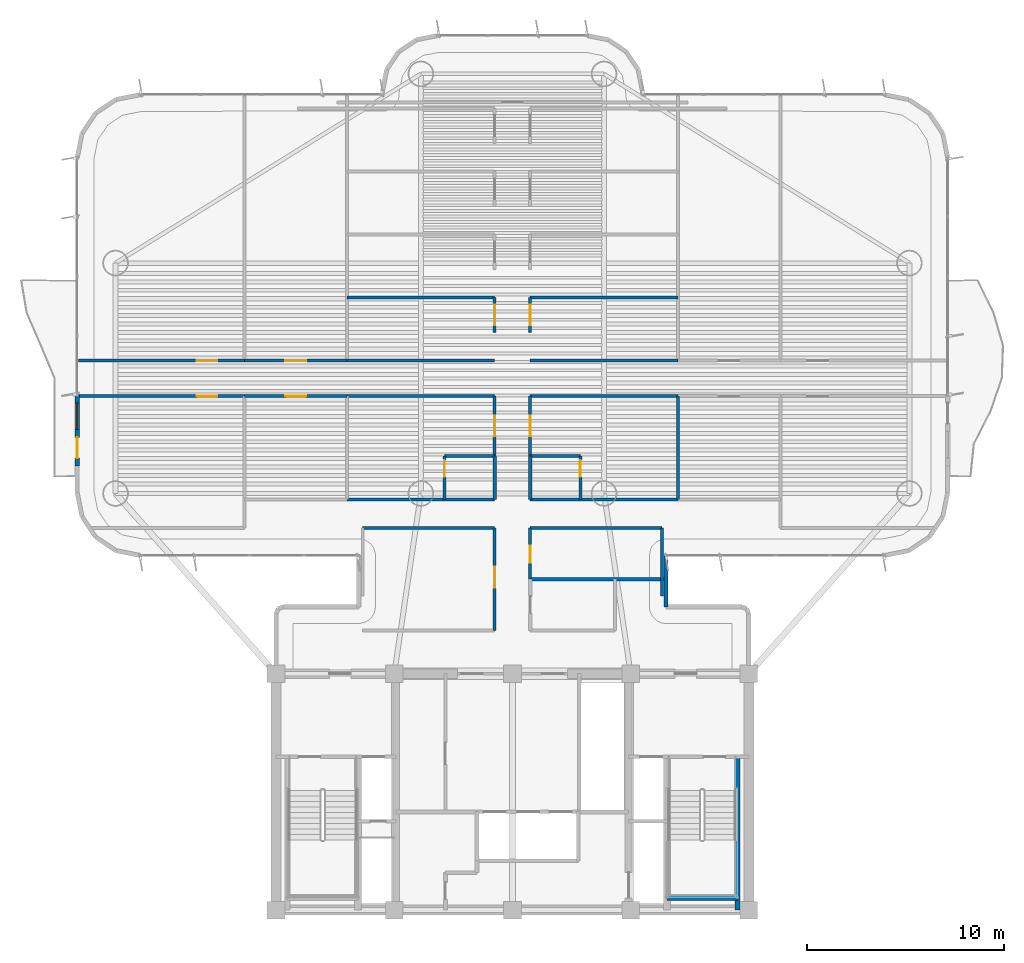
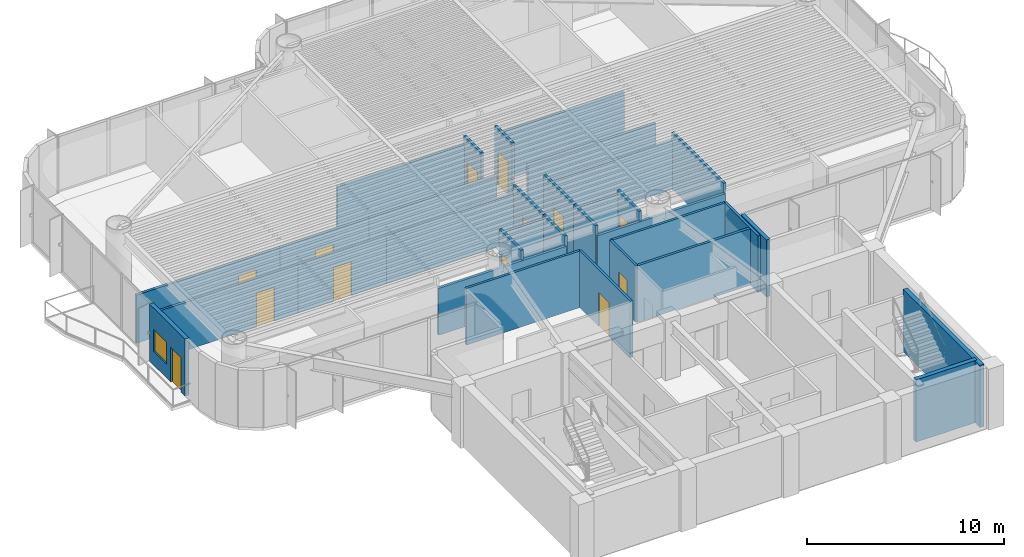
# One storey, part 10 of 16: 33 walls, 13 doors, 1 window, 14 openings.
"""IFC4 building model written with IfcOpenShell, lengths in metres."""

from ifc_helpers import new_model, si_unit, direction, frame, frame_2d, origin, origin_2d, place, context, subcontext, project, spatial, rectangle, extrude, source, transform, mapped, material, layer, layer_set, type_object, element, fill, save


model = new_model("IFC4")

# Units and contexts
model_context = context("Model", 3, precision=1e-05, world=origin(), true_north=direction((0.0, 1.0)))
body_context = subcontext(model_context, "Body", "Model", "MODEL_VIEW")
ifc_project = project(units=[si_unit("LENGTHUNIT", "METRE"), si_unit("AREAUNIT", "SQUARE_METRE"), si_unit("VOLUMEUNIT", "CUBIC_METRE"), si_unit("PLANEANGLEUNIT", "RADIAN"), si_unit("MASSUNIT", "GRAM", prefix="KILO")], contexts=[model_context])

# Site, building, storey
site_placement = place(None, origin())
site = spatial("IfcSite", under=ifc_project, at=site_placement, CompositionType="ELEMENT")
building_placement = place(site_placement, origin())
building = spatial("IfcBuilding", under=site, at=building_placement, Name="Brelvock Crest Care Tower", CompositionType="ELEMENT")
storey_placement = place(building_placement, frame((0.0, 0.0, 101.159912109375)))
storey = spatial("IfcBuildingStorey", under=building, at=storey_placement, Name="L25", CompositionType="ELEMENT", Elevation=101.159912109375)

# Walls
ifc_material_1 = material(Name="Concrete S80 (80 MPa)", Category="concrete")
ifc_layer_1 = layer(ifc_material_1, 0.25, Name="WL-CS6")
ifc_layer_set_1 = layer_set([ifc_layer_1], Name="Concrete S80 (80 MPa)")
wall_type_1 = type_object("IfcWallType", Name="WL-CS6", PredefinedType="SHEAR", material=ifc_layer_set_1)
wall_1_placement = place(storey_placement, frame((47.419921875, 6.0, 0.0), z_axis=(0.0, 0.0, 1.0), x_axis=(0.0, 1.0, 0.0)))
element("IfcWall", 1, at=wall_1_placement, inside=storey, type_object=wall_type_1, Name="L25 Core Stair ST-2 East Shear Wall", PredefinedType="SHEAR", context=body_context, shape_type="SweptSolid", body=[
    extrude(rectangle(XDim=7.780029296875, YDim=0.25, at=frame_2d((3.89013671875, 0.0))), origin(), (0.0, 0.0, 1.0), 3.85009765625),
])
wall_2_placement = place(storey_placement, frame((43.85009765625, 6.6201171875, 0.0), z_axis=(0.0, 0.0, 1.0), x_axis=(1.0, 0.0, 0.0)))
element("IfcWall", 2, at=wall_2_placement, inside=storey, type_object=wall_type_1, Name="L25 Core Stair ST-2 South Shear Wall", PredefinedType="SHEAR", context=body_context, shape_type="SweptSolid", body=[
    extrude(rectangle(XDim=3.56982421875, YDim=0.25, at=frame_2d((1.784912109375, 0.0))), origin(), (0.0, 0.0, 1.0), 3.85009765625),
])

# Wall, openings, door, window
ifc_material_2 = material(Name="Precast concrete N40 (40 MPa)", Category="concrete")
ifc_layer_2 = layer(ifc_material_2, 0.239990234375, Name="WL-EX1")
ifc_layer_set_2 = layer_set([ifc_layer_2], Name="Precast concrete N40 (40 MPa)")
wall_type_2 = type_object("IfcWallType", Name="WL-EX1", PredefinedType="SOLIDWALL", material=ifc_layer_set_2)
wall_3_placement = place(storey_placement, frame((13.89990234375, 28.550048828125, 0.0), z_axis=(0.0, 0.0, 1.0), x_axis=(0.0, 1.0, 0.0)))
wall_3 = element("IfcWall", 3, at=wall_3_placement, inside=storey, type_object=wall_type_2, Name="L25 Exterior Spandrel Wall WL-BAL-L25-W", PredefinedType="SOLIDWALL", context=body_context, shape_type="SweptSolid", body=[
    extrude(rectangle(XDim=3.599853515625, YDim=0.239990234375, at=frame_2d((1.7998046875, 0.0))), origin(), (0.0, 0.0, 1.0), 3.530029296875),
])
opening_1_placement = place(wall_3_placement, frame((0.39990234375, 0.0, 0.0)))
opening_1 = element("IfcOpeningElement", 4, at=opening_1_placement, cuts=wall_3, Name="Opening BD-1", PredefinedType="OPENING", context=body_context, shape_type="SweptSolid", body=[
    extrude(rectangle(XDim=1.050048828125, YDim=2.14990234375, at=origin_2d()), frame((0.52490234375, 0.1298828125, 1.074951171875), z_axis=(0.0, -1.0, 0.0), x_axis=(1.0, 0.0, 0.0)), (0.0, 0.0, 1.0), 0.260009765625),
])
opening_2_placement = place(wall_3_placement, frame((1.85009765625, 0.0, 0.85009765625)))
opening_2 = element("IfcOpeningElement", 5, at=opening_2_placement, cuts=wall_3, Name="Opening W-01", PredefinedType="OPENING", context=body_context, shape_type="SweptSolid", body=[
    extrude(rectangle(XDim=1.35009765625, YDim=1.35009765625, at=origin_2d()), frame((0.675048828125, 0.1298828125, 0.675048828125), z_axis=(0.0, -1.0, 0.0), x_axis=(1.0, 0.0, 0.0)), (0.0, 0.0, 1.0), 0.260009765625),
])
ifc_material_3 = material(Name="Dark Glass Double Glazed Low-E", Category="glass")
door_type_1 = type_object("IfcDoorType", Name="DR-BAL1", OperationType="NOTDEFINED", PredefinedType="DOOR", material=ifc_material_3)
shared_shape_1 = source(origin(), body_context, "Body", "SweptSolid", [
    extrude(rectangle(XDim=1.050048828125, YDim=2.14990234375, at=origin_2d()), frame((0.52490234375, 0.02490234375, 1.074951171875), z_axis=(0.0, -1.0, 0.0), x_axis=(1.0, 0.0, 0.0)), (0.0, 0.0, 1.0), 0.050048828125),
])
door_1_placement = place(opening_1_placement, origin())
door_1 = element("IfcDoor", 6, at=door_1_placement, inside=storey, type_object=door_type_1, Name="L25 W Wave Balcony Glazed Door", OperationType="SINGLE_SWING_LEFT", OverallHeight=2.14990234375, OverallWidth=1.050048828125, PredefinedType="DOOR", context=body_context, shape_type="MappedRepresentation", body=[
    mapped(shared_shape_1, transform((0.0, 0.0, 0.0), x_axis=(1.0, 0.0, 0.0), y_axis=(0.0, 1.0, 0.0), z_axis=(0.0, 0.0, 1.0), scale=1.0)),
])
fill(opening_1, door_1)
window_type = type_object("IfcWindowType", Name="WN-EX1", PartitioningType="SINGLE_PANEL", PredefinedType="WINDOW", material=ifc_material_3)
shared_shape_2 = source(origin(), body_context, "Body", "SweptSolid", [
    extrude(rectangle(XDim=1.35009765625, YDim=1.35009765625, at=origin_2d()), frame((0.675048828125, 0.030029296875, 0.675048828125), z_axis=(0.0, -1.0, 0.0), x_axis=(1.0, 0.0, 0.0)), (0.0, 0.0, 1.0), 0.06005859375),
])
window_placement = place(opening_2_placement, origin())
window = element("IfcWindow", 7, at=window_placement, inside=storey, type_object=window_type, Name="L25 W Suite Casement Window", OverallHeight=1.35009765625, OverallWidth=1.35009765625, PartitioningType="SINGLE_PANEL", PredefinedType="WINDOW", context=body_context, shape_type="MappedRepresentation", body=[
    mapped(shared_shape_2, transform((0.0, 0.0, 0.0), x_axis=(1.0, 0.0, 0.0), y_axis=(0.0, 1.0, 0.0), z_axis=(0.0, 0.0, 1.0), scale=1.0)),
])
fill(opening_2, window)

# Walls
ifc_layer_3 = layer(ifc_material_2, 0.215087890625, Name="WL-EX2")
ifc_layer_set_3 = layer_set([ifc_layer_3], Name="Precast concrete N40 (40 MPa)")
wall_type_3 = type_object("IfcWallType", Name="WL-EX2", PredefinedType="SOLIDWALL", material=ifc_layer_set_3)
wall_4_placement = place(storey_placement, frame((43.800048828125, 24.0, 0.0), z_axis=(0.0, 0.0, 1.0), x_axis=(0.0, -1.0, 0.0)))
element("IfcWall", 8, at=wall_4_placement, inside=storey, type_object=wall_type_3, Name="L25 Rounded Corner Wall 45", PredefinedType="SOLIDWALL", context=body_context, shape_type="SweptSolid", body=[
    extrude(rectangle(XDim=2.60009765625, YDim=0.215087890625, at=frame_2d((1.300048828125, 0.0))), origin(), (0.0, 0.0, 1.0), 3.530029296875),
])
ifc_material_4 = material(Name="Masonry Blockwork Acoustic Partition", Category="masonry")
ifc_layer_4 = layer(ifc_material_4, 0.14990234375, Name="WL-INT1")
ifc_layer_set_4 = layer_set([ifc_layer_4], Name="Masonry Blockwork Acoustic Partition")
wall_type_4 = type_object("IfcWallType", Name="WL-INT1", PredefinedType="PARTITIONING", material=ifc_layer_set_4)
for number, where, z_axis, x_axis, name in (
    (9, (28.39990234375, 25.39990234375, 0.0), (0.0, 0.0, 1.0), (1.0, 0.0, 0.0), "L25 Interior Wall WL-BX-L25-THW-N"),
    (10, (36.89990234375, 25.39990234375, 0.0), (0.0, 0.0, 1.0), (1.0, 0.0, 0.0), "L25 Interior Wall WL-BX-L25-THE2-N"),
):
    element("IfcWall", number, at=place(storey_placement, frame(where, z_axis=z_axis, x_axis=x_axis)), inside=storey, type_object=wall_type_4, Name=name, PredefinedType="PARTITIONING", context=body_context, shape_type="SweptSolid", body=[
        extrude(rectangle(XDim=6.7001953125, YDim=0.14990234375, at=frame_2d((3.35009765625, 0.0))), origin(), (0.0, 0.0, 1.0), 3.5),
    ])
for number, where, z_axis, x_axis, name in (
    (11, (27.60009765625, 26.85009765625, 0.0), (0.0, 0.0, 1.0), (1.0, 0.0, 0.0), "L25 Interior Wall WL-BX-L25-CS-ISWC-S"),
    (12, (36.89990234375, 26.85009765625, 0.0), (0.0, 0.0, 1.0), (1.0, 0.0, 0.0), "L25 Interior Wall WL-BX-L25-CS-ISEC-S"),
):
    element("IfcWall", number, at=place(storey_placement, frame(where, z_axis=z_axis, x_axis=x_axis)), inside=storey, type_object=wall_type_4, Name=name, PredefinedType="PARTITIONING", context=body_context, shape_type="SweptSolid", body=[
        extrude(rectangle(XDim=7.5, YDim=0.14990234375, at=frame_2d((3.75, 0.0))), origin(), (0.0, 0.0, 1.0), 2.903076171875),
    ])

# Wall, opening, door
wall_5_placement = place(storey_placement, frame((13.97998046875, 32.10009765625, 0.0), z_axis=(0.0, 0.0, 1.0), x_axis=(1.0, 0.0, 0.0)))
wall_5 = element("IfcWall", 13, at=wall_5_placement, inside=storey, type_object=wall_type_4, Name="L25 Interior Wall WL-RM-L25-SWB", PredefinedType="PARTITIONING", context=body_context, shape_type="SweptSolid", body=[
    extrude(rectangle(XDim=8.419921875, YDim=0.14990234375, at=frame_2d((4.2099609375, 0.0))), origin(), (0.0, 0.0, 1.0), 2.982177734375),
])
opening_3_placement = place(wall_5_placement, frame((5.9951171875, 0.0, 0.0)))
opening_3 = element("IfcOpeningElement", 14, at=opening_3_placement, cuts=wall_5, Name="Opening CD-1", PredefinedType="OPENING", context=body_context, shape_type="SweptSolid", body=[
    extrude(rectangle(XDim=1.050048828125, YDim=2.10009765625, at=origin_2d()), frame((0.52490234375, 0.0849609375, 1.050048828125), z_axis=(0.0, -1.0, 0.0), x_axis=(1.0, 0.0, 0.0)), (0.0, 0.0, 1.0), 0.169921875),
])
ifc_material_5 = material(Name="Engineered Hardwood Timber", Category="wood")
door_type_2 = type_object("IfcDoorType", Name="DR-CARE1", OperationType="NOTDEFINED", PredefinedType="DOOR", material=ifc_material_5)
shared_shape_3 = source(origin(), body_context, "Body", "SweptSolid", [
    extrude(rectangle(XDim=1.050048828125, YDim=2.10009765625, at=origin_2d()), frame((0.52490234375, 0.02490234375, 1.050048828125), z_axis=(0.0, -1.0, 0.0), x_axis=(1.0, 0.0, 0.0)), (0.0, 0.0, 1.0), 0.050048828125),
])
door_2_placement = place(opening_3_placement, origin())
door_2 = element("IfcDoor", 15, at=door_2_placement, inside=storey, type_object=door_type_2, Name="L25 Assisted Care Therapy Hall Door SWB", OperationType="SINGLE_SWING_LEFT", OverallHeight=2.10009765625, OverallWidth=1.050048828125, PredefinedType="DOOR", context=body_context, shape_type="MappedRepresentation", body=[
    mapped(shared_shape_3, transform((0.0, 0.0, 0.0), x_axis=(1.0, 0.0, 0.0), y_axis=(0.0, 1.0, 0.0), z_axis=(0.0, 0.0, 1.0), scale=1.0)),
])
fill(opening_3, door_2)

wall_6_placement = place(storey_placement, frame((22.39990234375, 32.10009765625, 0.0), z_axis=(0.0, 0.0, 1.0), x_axis=(1.0, 0.0, 0.0)))
wall_6 = element("IfcWall", 16, at=wall_6_placement, inside=storey, type_object=wall_type_4, Name="L25 Interior Wall WL-RM-L25-ISWD", PredefinedType="PARTITIONING", context=body_context, shape_type="SweptSolid", body=[
    extrude(rectangle(XDim=5.2001953125, YDim=0.14990234375, at=frame_2d((2.60009765625, 0.0))), origin(), (0.0, 0.0, 1.0), 2.982177734375),
])
opening_4_placement = place(wall_6_placement, frame((2.074951171875, 0.0, 0.0)))
opening_4 = element("IfcOpeningElement", 17, at=opening_4_placement, cuts=wall_6, Name="Opening CLD-1", PredefinedType="OPENING", context=body_context, shape_type="SweptSolid", body=[
    extrude(rectangle(XDim=1.050048828125, YDim=2.10009765625, at=origin_2d()), frame((0.52490234375, 0.0849609375, 1.050048828125), z_axis=(0.0, -1.0, 0.0), x_axis=(1.0, 0.0, 0.0)), (0.0, 0.0, 1.0), 0.169921875),
])
door_type_3 = type_object("IfcDoorType", Name="DR-CLN1", OperationType="NOTDEFINED", PredefinedType="DOOR", material=ifc_material_5)
shared_shape_4 = source(origin(), body_context, "Body", "SweptSolid", [
    extrude(rectangle(XDim=1.050048828125, YDim=2.10009765625, at=origin_2d()), frame((0.52490234375, 0.02490234375, 1.050048828125), z_axis=(0.0, -1.0, 0.0), x_axis=(1.0, 0.0, 0.0)), (0.0, 0.0, 1.0), 0.050048828125),
])
door_3_placement = place(opening_4_placement, origin())
door_3 = element("IfcDoor", 18, at=door_3_placement, inside=storey, type_object=door_type_3, Name="L25 Memory Care Activity Salon Door ISWD", OperationType="SINGLE_SWING_LEFT", OverallHeight=2.10009765625, OverallWidth=1.050048828125, PredefinedType="DOOR", context=body_context, shape_type="MappedRepresentation", body=[
    mapped(shared_shape_4, transform((0.0, 0.0, 0.0), x_axis=(1.0, 0.0, 0.0), y_axis=(0.0, 1.0, 0.0), z_axis=(0.0, 0.0, 1.0), scale=1.0)),
])
fill(opening_4, door_3)

# Walls
for number, where, z_axis, x_axis, name in (
    (19, (27.60009765625, 32.10009765625, 0.0), (0.0, 0.0, 1.0), (1.0, 0.0, 0.0), "L25 Interior Wall WL-BX-L25-CS-ISWC-N"),
    (20, (36.89990234375, 32.10009765625, 0.0), (0.0, 0.0, 1.0), (1.0, 0.0, 0.0), "L25 Interior Wall WL-BX-L25-CS-ISEC-N"),
):
    element("IfcWall", number, at=place(storey_placement, frame(where, z_axis=z_axis, x_axis=x_axis)), inside=storey, type_object=wall_type_4, Name=name, PredefinedType="PARTITIONING", context=body_context, shape_type="SweptSolid", body=[
        extrude(rectangle(XDim=7.5, YDim=0.14990234375, at=frame_2d((3.75, 0.0))), origin(), (0.0, 0.0, 1.0), 2.982177734375),
    ])

# Wall, opening, door
wall_7_placement = place(storey_placement, frame((13.97998046875, 33.89990234375, 0.0), z_axis=(0.0, 0.0, 1.0), x_axis=(1.0, 0.0, 0.0)))
wall_7 = element("IfcWall", 21, at=wall_7_placement, inside=storey, type_object=wall_type_4, Name="L25 Interior Wall WL-RM-L25-NWB", PredefinedType="PARTITIONING", context=body_context, shape_type="SweptSolid", body=[
    extrude(rectangle(XDim=8.419921875, YDim=0.14990234375, at=frame_2d((4.2099609375, 0.0))), origin(), (0.0, 0.0, 1.0), 2.982177734375),
])
opening_5_placement = place(wall_7_placement, frame((5.9951171875, 0.0, 0.0)))
opening_5 = element("IfcOpeningElement", 22, at=opening_5_placement, cuts=wall_7, Name="Opening CD-1", PredefinedType="OPENING", context=body_context, shape_type="SweptSolid", body=[
    extrude(rectangle(XDim=1.050048828125, YDim=2.10009765625, at=origin_2d()), frame((0.52490234375, 0.0849609375, 1.050048828125), z_axis=(0.0, -1.0, 0.0), x_axis=(1.0, 0.0, 0.0)), (0.0, 0.0, 1.0), 0.169921875),
])
door_4_placement = place(opening_5_placement, origin())
door_4 = element("IfcDoor", 23, at=door_4_placement, inside=storey, type_object=door_type_2, Name="L25 Assisted Care Therapy Hall Door NWB", OperationType="SINGLE_SWING_LEFT", OverallHeight=2.10009765625, OverallWidth=1.050048828125, PredefinedType="DOOR", context=body_context, shape_type="MappedRepresentation", body=[
    mapped(shared_shape_3, transform((0.0, 0.0, 0.0), x_axis=(1.0, 0.0, 0.0), y_axis=(0.0, 1.0, 0.0), z_axis=(0.0, 0.0, 1.0), scale=1.0)),
])
fill(opening_5, door_4)

wall_8_placement = place(storey_placement, frame((22.39990234375, 33.89990234375, 0.0), z_axis=(0.0, 0.0, 1.0), x_axis=(1.0, 0.0, 0.0)))
wall_8 = element("IfcWall", 24, at=wall_8_placement, inside=storey, type_object=wall_type_4, Name="L25 Interior Wall WL-RM-L25-INWD", PredefinedType="PARTITIONING", context=body_context, shape_type="SweptSolid", body=[
    extrude(rectangle(XDim=5.2001953125, YDim=0.14990234375, at=frame_2d((2.60009765625, 0.0))), origin(), (0.0, 0.0, 1.0), 2.982177734375),
])
opening_6_placement = place(wall_8_placement, frame((2.074951171875, 0.0, 0.0)))
opening_6 = element("IfcOpeningElement", 25, at=opening_6_placement, cuts=wall_8, Name="Opening CLD-1", PredefinedType="OPENING", context=body_context, shape_type="SweptSolid", body=[
    extrude(rectangle(XDim=1.050048828125, YDim=2.10009765625, at=origin_2d()), frame((0.52490234375, 0.0849609375, 1.050048828125), z_axis=(0.0, -1.0, 0.0), x_axis=(1.0, 0.0, 0.0)), (0.0, 0.0, 1.0), 0.169921875),
])
door_5_placement = place(opening_6_placement, origin())
door_5 = element("IfcDoor", 26, at=door_5_placement, inside=storey, type_object=door_type_3, Name="L25 Memory Care Activity Salon Door INWD", OperationType="SINGLE_SWING_LEFT", OverallHeight=2.10009765625, OverallWidth=1.050048828125, PredefinedType="DOOR", context=body_context, shape_type="MappedRepresentation", body=[
    mapped(shared_shape_4, transform((0.0, 0.0, 0.0), x_axis=(1.0, 0.0, 0.0), y_axis=(0.0, 1.0, 0.0), z_axis=(0.0, 0.0, 1.0), scale=1.0)),
])
fill(opening_6, door_5)

# Walls
for number, where, z_axis, x_axis, name in (
    (27, (27.60009765625, 33.89990234375, 0.0), (0.0, 0.0, 1.0), (1.0, 0.0, 0.0), "L25 Interior Wall WL-BX-L25-CS-INWCAA-S"),
    (28, (36.89990234375, 33.89990234375, 0.0), (0.0, 0.0, 1.0), (1.0, 0.0, 0.0), "L25 Interior Wall WL-BX-L25-CS-INECAA-S"),
    (29, (27.60009765625, 37.10009765625, 0.0), (0.0, 0.0, 1.0), (1.0, 0.0, 0.0), "L25 Interior Wall WL-BX-L25-CS-INWCAA-N"),
    (30, (36.89990234375, 37.10009765625, 0.0), (0.0, 0.0, 1.0), (1.0, 0.0, 0.0), "L25 Interior Wall WL-BX-L25-CS-INECAA-N"),
):
    element("IfcWall", number, at=place(storey_placement, frame(where, z_axis=z_axis, x_axis=x_axis)), inside=storey, type_object=wall_type_4, Name=name, PredefinedType="PARTITIONING", context=body_context, shape_type="SweptSolid", body=[
        extrude(rectangle(XDim=7.5, YDim=0.14990234375, at=frame_2d((3.75, 0.0))), origin(), (0.0, 0.0, 1.0), 2.982177734375),
    ])

# Wall, opening, door
wall_9_placement = place(storey_placement, frame((35.10009765625, 20.199951171875, 0.0), z_axis=(0.0, 0.0, 1.0), x_axis=(0.0, 1.0, 0.0)))
wall_9 = element("IfcWall", 31, at=wall_9_placement, inside=storey, type_object=wall_type_4, Name="L25 Interior Wall WL-RM-L25-THW", PredefinedType="PARTITIONING", context=body_context, shape_type="SweptSolid", body=[
    extrude(rectangle(XDim=5.199951171875, YDim=0.14990234375, at=frame_2d((2.60009765625, 0.0))), origin(), (0.0, 0.0, 1.0), 3.5),
])
opening_7_placement = place(wall_9_placement, frame((2.175048828125, 0.0, 0.0)))
opening_7 = element("IfcOpeningElement", 32, at=opening_7_placement, cuts=wall_9, Name="Opening CLD-1", PredefinedType="OPENING", context=body_context, shape_type="SweptSolid", body=[
    extrude(rectangle(XDim=1.050048828125, YDim=2.10009765625, at=origin_2d()), frame((0.52490234375, 0.0849609375, 1.050048828125), z_axis=(0.0, -1.0, 0.0), x_axis=(1.0, 0.0, 0.0)), (0.0, 0.0, 1.0), 0.169921875),
])
door_6_placement = place(opening_7_placement, origin())
door_6 = element("IfcDoor", 33, at=door_6_placement, inside=storey, type_object=door_type_3, Name="L25 Allied Health Consultation Room Door THW", OperationType="SINGLE_SWING_LEFT", OverallHeight=2.10009765625, OverallWidth=1.050048828125, PredefinedType="DOOR", context=body_context, shape_type="MappedRepresentation", body=[
    mapped(shared_shape_4, transform((0.0, 0.0, 0.0), x_axis=(1.0, 0.0, 0.0), y_axis=(0.0, 1.0, 0.0), z_axis=(0.0, 0.0, 1.0), scale=1.0)),
])
fill(opening_7, door_6)

wall_10_placement = place(storey_placement, frame((35.10009765625, 29.054931640625, 0.0), z_axis=(0.0, 0.0, 1.0), x_axis=(0.0, 1.0, 0.0)))
wall_10 = element("IfcWall", 34, at=wall_10_placement, inside=storey, type_object=wall_type_4, Name="L25 Interior Wall WL-CENT-L25-ISWC", PredefinedType="PARTITIONING", context=body_context, shape_type="SweptSolid", body=[
    extrude(rectangle(XDim=3.045166015625, YDim=0.14990234375, at=frame_2d((1.5224609375, 0.0))), origin(), (0.0, 0.0, 1.0), 3.5),
])
opening_8_placement = place(wall_10_placement, frame((1.0029296875, 0.0, 0.0)))
opening_8 = element("IfcOpeningElement", 35, at=opening_8_placement, cuts=wall_10, Name="Opening CD-1", PredefinedType="OPENING", context=body_context, shape_type="SweptSolid", body=[
    extrude(rectangle(XDim=1.050048828125, YDim=2.10009765625, at=origin_2d()), frame((0.52490234375, 0.0849609375, 1.050048828125), z_axis=(0.0, -1.0, 0.0), x_axis=(1.0, 0.0, 0.0)), (0.0, 0.0, 1.0), 0.169921875),
])
door_7_placement = place(opening_8_placement, origin())
door_7 = element("IfcDoor", 36, at=door_7_placement, inside=storey, type_object=door_type_2, Name="L25 Care Suite Door ISWC", OperationType="SINGLE_SWING_LEFT", OverallHeight=2.10009765625, OverallWidth=1.050048828125, PredefinedType="DOOR", context=body_context, shape_type="MappedRepresentation", body=[
    mapped(shared_shape_3, transform((0.0, 0.0, 0.0), x_axis=(1.0, 0.0, 0.0), y_axis=(0.0, 1.0, 0.0), z_axis=(0.0, 0.0, 1.0), scale=1.0)),
])
fill(opening_8, door_7)

wall_11_placement = place(storey_placement, frame((35.10009765625, 35.320068359375, 0.0), z_axis=(0.0, 0.0, 1.0), x_axis=(0.0, 1.0, 0.0)))
wall_11 = element("IfcWall", 37, at=wall_11_placement, inside=storey, type_object=wall_type_4, Name="L25 Interior Wall WL-CENT-L25-INWCAA", PredefinedType="PARTITIONING", context=body_context, shape_type="SweptSolid", body=[
    extrude(rectangle(XDim=1.780029296875, YDim=0.14990234375, at=frame_2d((0.89013671875, 0.0))), origin(), (0.0, 0.0, 1.0), 3.5),
])
opening_9_placement = place(wall_11_placement, frame((0.3701171875, 0.0, 0.0)))
opening_9 = element("IfcOpeningElement", 38, at=opening_9_placement, cuts=wall_11, Name="Opening CD-1", PredefinedType="OPENING", context=body_context, shape_type="SweptSolid", body=[
    extrude(rectangle(XDim=1.050048828125, YDim=2.10009765625, at=origin_2d()), frame((0.52490234375, 0.0849609375, 1.050048828125), z_axis=(0.0, -1.0, 0.0), x_axis=(1.0, 0.0, 0.0)), (0.0, 0.0, 1.0), 0.169921875),
])
door_8_placement = place(opening_9_placement, origin())
door_8 = element("IfcDoor", 39, at=door_8_placement, inside=storey, type_object=door_type_2, Name="L25 Care Suite Door INWCAA", OperationType="SINGLE_SWING_LEFT", OverallHeight=2.10009765625, OverallWidth=1.050048828125, PredefinedType="DOOR", context=body_context, shape_type="MappedRepresentation", body=[
    mapped(shared_shape_3, transform((0.0, 0.0, 0.0), x_axis=(1.0, 0.0, 0.0), y_axis=(0.0, 1.0, 0.0), z_axis=(0.0, 0.0, 1.0), scale=1.0)),
])
fill(opening_9, door_8)

wall_12_placement = place(storey_placement, frame((36.89990234375, 22.800048828125, 0.0), z_axis=(0.0, 0.0, 1.0), x_axis=(0.0, 1.0, 0.0)))
wall_12 = element("IfcWall", 40, at=wall_12_placement, inside=storey, type_object=wall_type_4, Name="L25 Interior Wall WL-RM-L25-THE2", PredefinedType="PARTITIONING", context=body_context, shape_type="SweptSolid", body=[
    extrude(rectangle(XDim=2.599853515625, YDim=0.14990234375, at=frame_2d((1.2998046875, 0.0))), origin(), (0.0, 0.0, 1.0), 3.5),
])
opening_10_placement = place(wall_12_placement, frame((0.840087890625, 0.0, 0.0)))
opening_10 = element("IfcOpeningElement", 41, at=opening_10_placement, cuts=wall_12, Name="Opening ID-1", PredefinedType="OPENING", context=body_context, shape_type="SweptSolid", body=[
    extrude(rectangle(XDim=0.860107421875, YDim=2.10009765625, at=origin_2d()), frame((0.43017578125, 0.0849609375, 1.050048828125), z_axis=(0.0, -1.0, 0.0), x_axis=(1.0, 0.0, 0.0)), (0.0, 0.0, 1.0), 0.169921875),
])
door_type_4 = type_object("IfcDoorType", Name="DR-INT1", OperationType="NOTDEFINED", PredefinedType="DOOR", material=ifc_material_5)
shared_shape_5 = source(origin(), body_context, "Body", "SweptSolid", [
    extrude(rectangle(XDim=0.860107421875, YDim=2.10009765625, at=origin_2d()), frame((0.43017578125, 0.02490234375, 1.050048828125), z_axis=(0.0, -1.0, 0.0), x_axis=(1.0, 0.0, 0.0)), (0.0, 0.0, 1.0), 0.050048828125),
])
door_9_placement = place(opening_10_placement, origin())
door_9 = element("IfcDoor", 42, at=door_9_placement, inside=storey, type_object=door_type_4, Name="L25 Care Coordinator Office Door THE2", OperationType="SINGLE_SWING_LEFT", OverallHeight=2.10009765625, OverallWidth=0.860107421875, PredefinedType="DOOR", context=body_context, shape_type="MappedRepresentation", body=[
    mapped(shared_shape_5, transform((0.0, 0.0, 0.0), x_axis=(1.0, 0.0, 0.0), y_axis=(0.0, 1.0, 0.0), z_axis=(0.0, 0.0, 1.0), scale=1.0)),
])
fill(opening_10, door_9)

wall_13_placement = place(storey_placement, frame((36.89990234375, 29.054931640625, 0.0), z_axis=(0.0, 0.0, 1.0), x_axis=(0.0, 1.0, 0.0)))
wall_13 = element("IfcWall", 43, at=wall_13_placement, inside=storey, type_object=wall_type_4, Name="L25 Interior Wall WL-CENT-L25-ISEC", PredefinedType="PARTITIONING", context=body_context, shape_type="SweptSolid", body=[
    extrude(rectangle(XDim=3.045166015625, YDim=0.14990234375, at=frame_2d((1.5224609375, 0.0))), origin(), (0.0, 0.0, 1.0), 3.5),
])
opening_11_placement = place(wall_13_placement, frame((1.0029296875, 0.0, 0.0)))
opening_11 = element("IfcOpeningElement", 44, at=opening_11_placement, cuts=wall_13, Name="Opening CD-1", PredefinedType="OPENING", context=body_context, shape_type="SweptSolid", body=[
    extrude(rectangle(XDim=1.050048828125, YDim=2.10009765625, at=origin_2d()), frame((0.52490234375, 0.0849609375, 1.050048828125), z_axis=(0.0, -1.0, 0.0), x_axis=(1.0, 0.0, 0.0)), (0.0, 0.0, 1.0), 0.169921875),
])
door_10_placement = place(opening_11_placement, origin())
door_10 = element("IfcDoor", 45, at=door_10_placement, inside=storey, type_object=door_type_2, Name="L25 Care Suite Door ISEC", OperationType="SINGLE_SWING_LEFT", OverallHeight=2.10009765625, OverallWidth=1.050048828125, PredefinedType="DOOR", context=body_context, shape_type="MappedRepresentation", body=[
    mapped(shared_shape_3, transform((0.0, 0.0, 0.0), x_axis=(1.0, 0.0, 0.0), y_axis=(0.0, 1.0, 0.0), z_axis=(0.0, 0.0, 1.0), scale=1.0)),
])
fill(opening_11, door_10)

wall_14_placement = place(storey_placement, frame((36.89990234375, 35.320068359375, 0.0), z_axis=(0.0, 0.0, 1.0), x_axis=(0.0, 1.0, 0.0)))
wall_14 = element("IfcWall", 46, at=wall_14_placement, inside=storey, type_object=wall_type_4, Name="L25 Interior Wall WL-CENT-L25-INECAA", PredefinedType="PARTITIONING", context=body_context, shape_type="SweptSolid", body=[
    extrude(rectangle(XDim=1.780029296875, YDim=0.14990234375, at=frame_2d((0.89013671875, 0.0))), origin(), (0.0, 0.0, 1.0), 3.5),
])
opening_12_placement = place(wall_14_placement, frame((0.3701171875, 0.0, 0.0)))
opening_12 = element("IfcOpeningElement", 47, at=opening_12_placement, cuts=wall_14, Name="Opening CD-1", PredefinedType="OPENING", context=body_context, shape_type="SweptSolid", body=[
    extrude(rectangle(XDim=1.050048828125, YDim=2.10009765625, at=origin_2d()), frame((0.52490234375, 0.0849609375, 1.050048828125), z_axis=(0.0, -1.0, 0.0), x_axis=(1.0, 0.0, 0.0)), (0.0, 0.0, 1.0), 0.169921875),
])
door_11_placement = place(opening_12_placement, origin())
door_11 = element("IfcDoor", 48, at=door_11_placement, inside=storey, type_object=door_type_2, Name="L25 Care Suite Door INECAA", OperationType="SINGLE_SWING_LEFT", OverallHeight=2.10009765625, OverallWidth=1.050048828125, PredefinedType="DOOR", context=body_context, shape_type="MappedRepresentation", body=[
    mapped(shared_shape_3, transform((0.0, 0.0, 0.0), x_axis=(1.0, 0.0, 0.0), y_axis=(0.0, 1.0, 0.0), z_axis=(0.0, 0.0, 1.0), scale=1.0)),
])
fill(opening_12, door_11)

# Walls
wall_15_placement = place(storey_placement, frame((43.60009765625, 21.95751953125, 0.0), z_axis=(0.0, 0.0, 1.0), x_axis=(0.0, 1.0, 0.0)))
element("IfcWall", 49, at=wall_15_placement, inside=storey, type_object=wall_type_4, Name="L25 Interior Wall WL-BX-L25-THE2-E", PredefinedType="PARTITIONING", context=body_context, shape_type="SweptSolid", body=[
    extrude(rectangle(XDim=3.4423828125, YDim=0.14990234375, at=frame_2d((1.72119140625, 0.0))), origin(), (0.0, 0.0, 1.0), 3.5),
])
wall_16_placement = place(storey_placement, frame((44.39990234375, 26.85009765625, 0.0), z_axis=(0.0, 0.0, 1.0), x_axis=(0.0, 1.0, 0.0)))
element("IfcWall", 50, at=wall_16_placement, inside=storey, type_object=wall_type_4, Name="L25 Interior Wall WL-BX-L25-CS-ISEC-E", PredefinedType="PARTITIONING", context=body_context, shape_type="SweptSolid", body=[
    extrude(rectangle(XDim=5.25, YDim=0.14990234375, at=frame_2d((2.625, 0.0))), origin(), (0.0, 0.0, 1.0), 3.5),
])
ifc_material_6 = material(Name="Gypsum Plasterboard Partition", Category="gypsum")
ifc_layer_5 = layer(ifc_material_6, 0.159912109375, Name="WL-PLM1")
ifc_layer_set_5 = layer_set([ifc_layer_5], Name="Gypsum Plasterboard Partition")
wall_type_5 = type_object("IfcWallType", Name="WL-PLM1", PredefinedType="PLUMBINGWALL", material=ifc_layer_set_5)
wall_17_placement = place(storey_placement, frame((36.89990234375, 22.800048828125, 0.0), z_axis=(0.0, 0.0, 1.0), x_axis=(1.0, 0.0, 0.0)))
element("IfcWall", 51, at=wall_17_placement, inside=storey, type_object=wall_type_5, Name="L25 Interior Wall WL-BX-L25-THE2-S", PredefinedType="PLUMBINGWALL", context=body_context, shape_type="SweptSolid", body=[
    extrude(rectangle(XDim=6.820068359375, YDim=0.159912109375, at=frame_2d((3.41015625, 0.0))), origin(), (0.0, 0.0, 1.0), 3.5),
])
for number, where, z_axis, x_axis, name in (
    (52, (32.550048828125, 29.054931640625, 0.0), (0.0, 0.0, 1.0), (1.0, 0.0, 0.0), "L25 Interior Wall WL-CENS2-L25-ISWC"),
    (53, (36.89990234375, 29.054931640625, 0.0), (0.0, 0.0, 1.0), (1.0, 0.0, 0.0), "L25 Interior Wall WL-CENS2-L25-ISEC"),
):
    element("IfcWall", number, at=place(storey_placement, frame(where, z_axis=z_axis, x_axis=x_axis)), inside=storey, type_object=wall_type_5, Name=name, PredefinedType="PLUMBINGWALL", context=body_context, shape_type="SweptSolid", body=[
        extrude(rectangle(XDim=2.550048828125, YDim=0.159912109375, at=frame_2d((1.27490234375, 0.0))), origin(), (0.0, 0.0, 1.0), 3.259033203125),
    ])

# Wall, opening, door
wall_18_placement = place(storey_placement, frame((32.550048828125, 26.85009765625, 0.0), z_axis=(0.0, 0.0, 1.0), x_axis=(0.0, 1.0, 0.0)))
wall_18 = element("IfcWall", 54, at=wall_18_placement, inside=storey, type_object=wall_type_5, Name="L25 Interior Wall WL-CENS1-L25-ISWC", PredefinedType="PLUMBINGWALL", context=body_context, shape_type="SweptSolid", body=[
    extrude(rectangle(XDim=2.204833984375, YDim=0.159912109375, at=frame_2d((1.1025390625, 0.0))), origin(), (0.0, 0.0, 1.0), 3.5),
])
opening_13_placement = place(wall_18_placement, frame((1.139892578125, 0.0, 0.0)))
opening_13 = element("IfcOpeningElement", 55, at=opening_13_placement, cuts=wall_18, Name="Opening WD-1", PredefinedType="OPENING", context=body_context, shape_type="SweptSolid", body=[
    extrude(rectangle(XDim=0.860107421875, YDim=2.10009765625, at=origin_2d()), frame((0.43017578125, 0.08984375, 1.050048828125), z_axis=(0.0, -1.0, 0.0), x_axis=(1.0, 0.0, 0.0)), (0.0, 0.0, 1.0), 0.179931640625),
])
door_type_5 = type_object("IfcDoorType", Name="DR-WC1", OperationType="NOTDEFINED", PredefinedType="DOOR", material=ifc_material_5)
shared_shape_6 = source(origin(), body_context, "Body", "SweptSolid", [
    extrude(rectangle(XDim=0.860107421875, YDim=2.10009765625, at=origin_2d()), frame((0.43017578125, 0.02490234375, 1.050048828125), z_axis=(0.0, -1.0, 0.0), x_axis=(1.0, 0.0, 0.0)), (0.0, 0.0, 1.0), 0.050048828125),
])
door_12_placement = place(opening_13_placement, origin())
door_12 = element("IfcDoor", 56, at=door_12_placement, inside=storey, type_object=door_type_5, Name="L25 Care En-Suite Door ISWC", OperationType="SINGLE_SWING_LEFT", OverallHeight=2.10009765625, OverallWidth=0.860107421875, PredefinedType="DOOR", context=body_context, shape_type="MappedRepresentation", body=[
    mapped(shared_shape_6, transform((0.0, 0.0, 0.0), x_axis=(1.0, 0.0, 0.0), y_axis=(0.0, 1.0, 0.0), z_axis=(0.0, 0.0, 1.0), scale=1.0)),
])
fill(opening_13, door_12)

# Walls
for number, where, z_axis, x_axis, name in (
    (57, (35.10009765625, 26.85009765625, 0.0), (0.0, 0.0, 1.0), (0.0, 1.0, 0.0), "L25 Interior Wall WL-CENS0-L25-ISWC"),
    (58, (36.89990234375, 26.85009765625, 0.0), (0.0, 0.0, 1.0), (0.0, 1.0, 0.0), "L25 Interior Wall WL-CENS0-L25-ISEC"),
):
    element("IfcWall", number, at=place(storey_placement, frame(where, z_axis=z_axis, x_axis=x_axis)), inside=storey, type_object=wall_type_5, Name=name, PredefinedType="PLUMBINGWALL", context=body_context, shape_type="SweptSolid", body=[
        extrude(rectangle(XDim=2.204833984375, YDim=0.159912109375, at=frame_2d((1.1025390625, 0.0))), origin(), (0.0, 0.0, 1.0), 3.5),
    ])

# Wall, opening, door
wall_19_placement = place(storey_placement, frame((39.449951171875, 26.85009765625, 0.0), z_axis=(0.0, 0.0, 1.0), x_axis=(0.0, 1.0, 0.0)))
wall_19 = element("IfcWall", 59, at=wall_19_placement, inside=storey, type_object=wall_type_5, Name="L25 Interior Wall WL-CENS1-L25-ISEC", PredefinedType="PLUMBINGWALL", context=body_context, shape_type="SweptSolid", body=[
    extrude(rectangle(XDim=2.204833984375, YDim=0.159912109375, at=frame_2d((1.1025390625, 0.0))), origin(), (0.0, 0.0, 1.0), 3.5),
])
opening_14_placement = place(wall_19_placement, frame((1.139892578125, 0.0, 0.0)))
opening_14 = element("IfcOpeningElement", 60, at=opening_14_placement, cuts=wall_19, Name="Opening WD-1", PredefinedType="OPENING", context=body_context, shape_type="SweptSolid", body=[
    extrude(rectangle(XDim=0.860107421875, YDim=2.10009765625, at=origin_2d()), frame((0.43017578125, 0.08984375, 1.050048828125), z_axis=(0.0, -1.0, 0.0), x_axis=(1.0, 0.0, 0.0)), (0.0, 0.0, 1.0), 0.179931640625),
])
door_13_placement = place(opening_14_placement, origin())
door_13 = element("IfcDoor", 61, at=door_13_placement, inside=storey, type_object=door_type_5, Name="L25 Care En-Suite Door ISEC", OperationType="SINGLE_SWING_RIGHT", OverallHeight=2.10009765625, OverallWidth=0.860107421875, PredefinedType="DOOR", context=body_context, shape_type="MappedRepresentation", body=[
    mapped(shared_shape_6, transform((0.0, 0.0, 0.0), x_axis=(1.0, 0.0, 0.0), y_axis=(0.0, 1.0, 0.0), z_axis=(0.0, 0.0, 1.0), scale=1.0)),
])
fill(opening_14, door_13)

save(model, "model.ifc")
